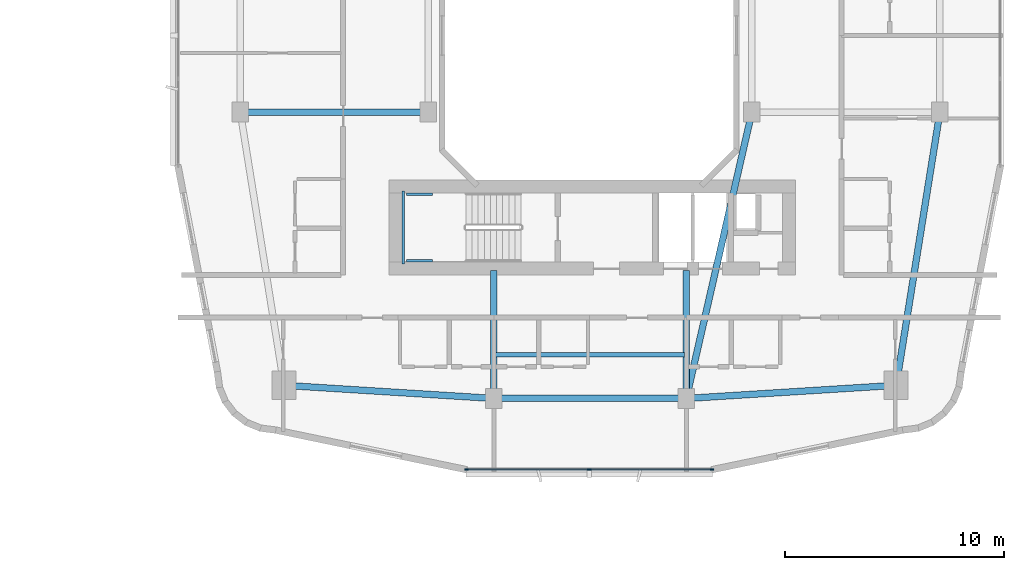
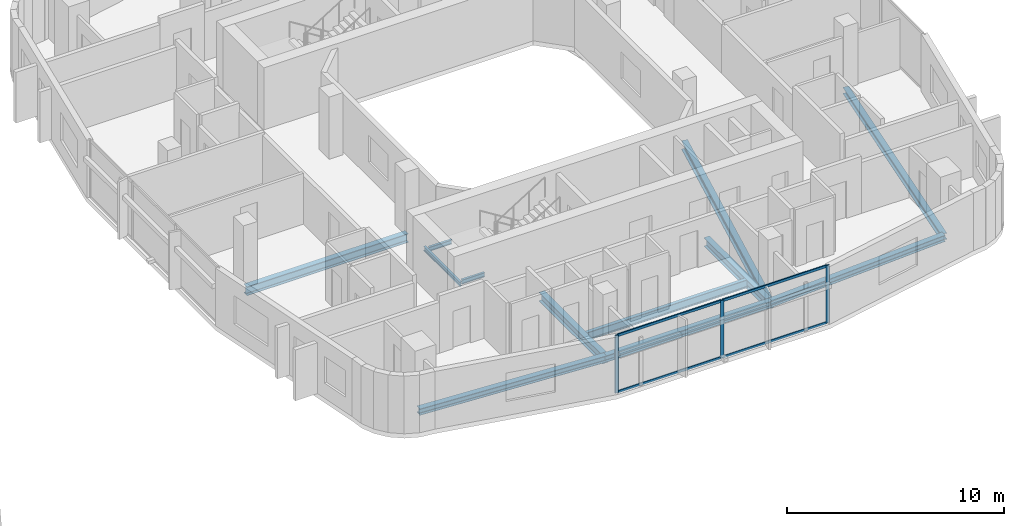
# One storey, part 8 of 26: 12 beams, 7 members, 1 element without a shape of its own.
"""IFC4 building model written with IfcOpenShell, lengths in metres."""

from ifc_helpers import new_model, si_unit, derived_unit, direction, frame, origin, origin_2d, place, context, subcontext, project, spatial, rectangle, i_section, extrude, material, layer, layer_set, material_profile, profile_set, type_object, element, aggregate, save


model = new_model("IFC4")

# Units and contexts
model_context = context("Model", 3, precision=1e-05, world=origin(), true_north=direction((0.0, 1.0)))
body_context = subcontext(model_context, "Body", "Model", "MODEL_VIEW")
ifc_project = project(units=[si_unit("LENGTHUNIT", "METRE"), si_unit("AREAUNIT", "SQUARE_METRE"), si_unit("VOLUMEUNIT", "CUBIC_METRE"), si_unit("PLANEANGLEUNIT", "RADIAN"), si_unit("MASSUNIT", "GRAM", prefix="KILO"), derived_unit("THERMALTRANSMITTANCEUNIT", [(si_unit("POWERUNIT", "WATT"), 1), (si_unit("LENGTHUNIT", "METRE"), -2), (si_unit("THERMODYNAMICTEMPERATUREUNIT", "KELVIN"), -1)])], contexts=[model_context])

# Site, building, storey
site_placement = place(None, origin())
site = spatial("IfcSite", under=ifc_project, at=site_placement, CompositionType="ELEMENT")
building_placement = place(site_placement, origin())
building = spatial("IfcBuilding", under=site, at=building_placement, Name="Kivonza Crest Hotel", CompositionType="ELEMENT")
storey_placement = place(building_placement, frame((0.0, 0.0, 55.5)))
storey = spatial("IfcBuildingStorey", under=building, at=storey_placement, Name="L14", CompositionType="ELEMENT", Elevation=55.5)

# Beams
ifc_material_1 = material(Name="Steel S355", Category="steel")
ifc_material_profile_1 = material_profile(ifc_material_1, i_section(OverallWidth=0.300048828125, OverallDepth=0.360107421875, WebThickness=0.012451171875, FlangeThickness=0.0224609375, FilletRadius=0.027099609375, at=origin_2d()), Name="HEB 360")
ifc_profile_set_1 = profile_set([ifc_material_profile_1], Name="Steel S355")
beam_type_1 = type_object("IfcBeamType", Name="BM-HEB360", PredefinedType="SPANDREL", material=ifc_profile_set_1)
beam_1_placement = place(storey_placement, frame((72.60009765625, 8.39990234375, -0.429931640625), z_axis=(1.0, 0.0, 0.0), x_axis=(0.0, 1.0, 0.0)))
element("IfcBeam", 1, at=beam_1_placement, inside=storey, type_object=beam_type_1, Name="Companion Tower T2 L14 perimeter spandrel S1-S2", PredefinedType="SPANDREL", context=body_context, shape_type="SweptSolid", body=[
    extrude(i_section(OverallWidth=0.300048828125, OverallDepth=0.360107421875, WebThickness=0.012451171875, FlangeThickness=0.0224609375, FilletRadius=0.027099609375, at=origin_2d()), origin(), (0.0, 0.0, 1.0), 8.7998046875),
])
beam_2_placement = place(storey_placement, frame((81.39990234375, 8.39990234375, -0.429931640625), z_axis=(0.998051985873, 0.062387767186, 0.0), x_axis=(-0.062387767186, 0.998051985873, 0.0)))
element("IfcBeam", 2, at=beam_2_placement, inside=storey, type_object=beam_type_1, Name="Companion Tower T2 L14 perimeter spandrel S2-SE", PredefinedType="SPANDREL", context=body_context, shape_type="SweptSolid", body=[
    extrude(i_section(OverallWidth=0.300048828125, OverallDepth=0.360107421875, WebThickness=0.012451171875, FlangeThickness=0.0224609375, FilletRadius=0.027099609375, at=origin_2d()), origin(), (0.0, 0.0, 1.0), 9.618896484375),
])
beam_3_placement = place(storey_placement, frame((91.0, 9.0, -0.429931640625), z_axis=(0.157990501107, 0.987440631917, 0.0), x_axis=(-0.987440631917, 0.157990501107, 0.0)))
element("IfcBeam", 3, at=beam_3_placement, inside=storey, type_object=beam_type_1, Name="Companion Tower T2 L14 perimeter spandrel SE-E1", PredefinedType="SPANDREL", context=body_context, shape_type="SweptSolid", body=[
    extrude(i_section(OverallWidth=0.300048828125, OverallDepth=0.360107421875, WebThickness=0.012451171875, FlangeThickness=0.0224609375, FilletRadius=0.027099609375, at=origin_2d()), origin(), (0.0, 0.0, 1.0), 12.658935546875),
])
beam_4_placement = place(storey_placement, frame((63.0, 9.0, -0.429931640625), z_axis=(0.998051985873, -0.062387767186, 0.0), x_axis=(0.062387767186, 0.998051985873, 0.0)))
element("IfcBeam", 4, at=beam_4_placement, inside=storey, type_object=beam_type_1, Name="Companion Tower T2 L14 perimeter spandrel SW-S1", PredefinedType="SPANDREL", context=body_context, shape_type="SweptSolid", body=[
    extrude(i_section(OverallWidth=0.300048828125, OverallDepth=0.360107421875, WebThickness=0.012451171875, FlangeThickness=0.0224609375, FilletRadius=0.027099609375, at=origin_2d()), origin(), (0.0, 0.0, 1.0), 9.618896484375),
])
ifc_material_profile_2 = material_profile(ifc_material_1, i_section(OverallWidth=0.300048828125, OverallDepth=0.5, WebThickness=0.014404296875, FlangeThickness=0.028076171875, FilletRadius=0.027099609375, at=origin_2d()), Name="HEB 500")
ifc_profile_set_2 = profile_set([ifc_material_profile_2], Name="Steel S355")
beam_type_2 = type_object("IfcBeamType", Name="BM-HEB500", PredefinedType="BEAM", material=ifc_profile_set_2)
beam_5_placement = place(storey_placement, frame((61.0, 21.5, -0.5), z_axis=(1.0, 0.0, 0.0), x_axis=(0.0, 1.0, 0.0)))
element("IfcBeam", 5, at=beam_5_placement, inside=storey, type_object=beam_type_2, Name="Companion Tower T2 L14 girder W1-WL1", PredefinedType="BEAM", context=body_context, shape_type="SweptSolid", body=[
    extrude(i_section(OverallWidth=0.300048828125, OverallDepth=0.5, WebThickness=0.014404296875, FlangeThickness=0.028076171875, FilletRadius=0.027099609375, at=origin_2d()), origin(), (0.0, 0.0, 1.0), 8.60009765625),
])
beam_6_placement = place(storey_placement, frame((84.39990234375, 21.5, -0.5), z_axis=(-0.223227287589, -0.974766422317, 0.0), x_axis=(0.974766422317, -0.223227287589, 0.0)))
element("IfcBeam", 6, at=beam_6_placement, inside=storey, type_object=beam_type_2, Name="Companion Tower T2 L14 girder WR1-S2", PredefinedType="BEAM", context=body_context, shape_type="SweptSolid", body=[
    extrude(i_section(OverallWidth=0.300048828125, OverallDepth=0.5, WebThickness=0.014404296875, FlangeThickness=0.028076171875, FilletRadius=0.027099609375, at=origin_2d()), origin(), (0.0, 0.0, 1.0), 13.439208984375),
])
for number, where, z_axis, x_axis, name in (
    (7, (72.60009765625, 8.39990234375, -0.5), (0.0, 1.0, 0.0), (-1.0, 0.0, 0.0), "Companion T2 L14 radial core girder RS1"),
    (8, (81.39990234375, 8.39990234375, -0.5), (0.0, 1.0, 0.0), (-1.0, 0.0, 0.0), "Companion T2 L14 radial core girder RS2"),
):
    element("IfcBeam", number, at=place(storey_placement, frame(where, z_axis=z_axis, x_axis=x_axis)), inside=storey, type_object=beam_type_2, Name=name, PredefinedType="BEAM", context=body_context, shape_type="SweptSolid", body=[
        extrude(i_section(OverallWidth=0.300048828125, OverallDepth=0.5, WebThickness=0.014404296875, FlangeThickness=0.028076171875, FilletRadius=0.027099609375, at=origin_2d()), origin(), (0.0, 0.0, 1.0), 5.85009765625),
    ])
ifc_material_profile_3 = material_profile(ifc_material_1, i_section(OverallWidth=0.18994140625, OverallDepth=0.449951171875, WebThickness=0.009521484375, FlangeThickness=0.0146484375, FilletRadius=0.02099609375, at=origin_2d()), Name="IPE 450")
ifc_profile_set_3 = profile_set([ifc_material_profile_3], Name="Steel S355")
beam_type_3 = type_object("IfcBeamType", Name="BM-IPE450", PredefinedType="JOIST", material=ifc_profile_set_3)
beam_7_placement = place(storey_placement, frame((72.679931640625, 10.39990234375, -0.47509765625), z_axis=(1.0, 0.0, 0.0), x_axis=(0.0, 1.0, 0.0)))
element("IfcBeam", 9, at=beam_7_placement, inside=storey, type_object=beam_type_3, Name="Companion Tower T2 L14 South floor joist", PredefinedType="JOIST", context=body_context, shape_type="SweptSolid", body=[
    extrude(i_section(OverallWidth=0.18994140625, OverallDepth=0.449951171875, WebThickness=0.009521484375, FlangeThickness=0.0146484375, FilletRadius=0.02099609375, at=origin_2d()), origin(), (0.0, 0.0, 1.0), 8.64013671875),
])
ifc_material_profile_4 = material_profile(ifc_material_1, i_section(OverallWidth=0.1201171875, OverallDepth=0.239990234375, WebThickness=0.006103515625, FlangeThickness=0.009765625, FilletRadius=0.014892578125, at=origin_2d()), Name="IPE 240")
ifc_profile_set_4 = profile_set([ifc_material_profile_4], Name="Steel S355")
beam_type_4 = type_object("IfcBeamType", Name="BM-LLDG-240", PredefinedType="BEAM", material=ifc_profile_set_4)
beam_8_placement = place(storey_placement, frame((68.4599609375, 14.5400390625, 1.429931640625), z_axis=(0.0, 1.0, 0.0), x_axis=(-1.0, 0.0, 0.0)))
element("IfcBeam", 10, at=beam_8_placement, inside=storey, type_object=beam_type_4, Name="Stair ST-T2-S L14 West landing corbel", PredefinedType="BEAM", context=body_context, shape_type="SweptSolid", body=[
    extrude(i_section(OverallWidth=0.1201171875, OverallDepth=0.239990234375, WebThickness=0.006103515625, FlangeThickness=0.009765625, FilletRadius=0.014892578125, at=origin_2d()), origin(), (0.0, 0.0, 1.0), 3.35986328125),
])
for number, where, z_axis, x_axis, name in (
    (11, (68.590087890625, 14.699951171875, 1.429931640625), (1.0, 0.0, 0.0), (0.0, 1.0, 0.0), "Stair ST-T2-S L14 South landing corbel"),
    (12, (68.590087890625, 17.739990234375, 1.429931640625), (1.0, 0.0, 0.0), (0.0, 1.0, 0.0), "Stair ST-T2-S L14 North landing corbel"),
):
    element("IfcBeam", number, at=place(storey_placement, frame(where, z_axis=z_axis, x_axis=x_axis)), inside=storey, type_object=beam_type_4, Name=name, PredefinedType="BEAM", context=body_context, shape_type="SweptSolid", body=[
        extrude(i_section(OverallWidth=0.1201171875, OverallDepth=0.239990234375, WebThickness=0.006103515625, FlangeThickness=0.009765625, FilletRadius=0.014892578125, at=origin_2d()), origin(), (0.0, 0.0, 1.0), 1.2099609375),
    ])

# Curtain wall, members
ifc_material_2 = material(Name="Anodised bronze aluminium and low-E double glazing", Category="aluminium")
ifc_layer = layer(ifc_material_2, 0.179931640625)
ifc_layer_set = layer_set([ifc_layer], Name="Anodised bronze aluminium and low-E double glazing")
curtain_wall_type = type_object("IfcCurtainWallType", Name="CW-SYS-4", PredefinedType="NOTDEFINED", material=ifc_layer_set)
curtain_wall_placement = place(storey_placement, origin())
curtain_wall = element("IfcCurtainWall", 13, at=curtain_wall_placement, inside=storey, type_object=curtain_wall_type, Name="L14 unitised curtain wall CW-T2-L14-08", PredefinedType="NOTDEFINED")
ifc_material_3 = material(Name="Anodised bronze aluminium", Category="aluminium")
ifc_material_profile_5 = material_profile(ifc_material_3, rectangle(XDim=0.06494140625, YDim=0.179931640625, at=origin_2d()), Name="CW-M 65x180")
ifc_profile_set_5 = profile_set([ifc_material_profile_5], Name="Anodised bronze aluminium")
member_type_1 = type_object("IfcMemberType", Name="CW-MUL-65x180", PredefinedType="MULLION", material=ifc_profile_set_5)
member_1_placement = place(storey_placement, frame((71.344482421875, 5.159912109375, 0.0), z_axis=(0.0, 0.0, 1.0), x_axis=(0.0, 1.0, 0.0)))
member_1 = element("IfcMember", 14, at=member_1_placement, type_object=member_type_1, Name="CW-4 mullion 1", PredefinedType="MULLION", context=body_context, shape_type="SweptSolid", body=[
    extrude(rectangle(XDim=0.06494140625, YDim=0.179931640625, at=origin_2d()), origin(), (0.0, 0.0, 1.0), 3.25),
])
member_2_placement = place(storey_placement, frame((76.9599609375, 5.159912109375, 0.0), z_axis=(0.0, 0.0, 1.0), x_axis=(0.0, 1.0, 0.0)))
member_2 = element("IfcMember", 15, at=member_2_placement, type_object=member_type_1, Name="CW-4 mullion 2", PredefinedType="MULLION", context=body_context, shape_type="SweptSolid", body=[
    extrude(rectangle(XDim=0.06494140625, YDim=0.179931640625, at=origin_2d()), origin(), (0.0, 0.0, 1.0), 3.25),
])
member_3_placement = place(storey_placement, frame((82.575439453125, 5.159912109375, 0.0), z_axis=(0.0, 0.0, 1.0), x_axis=(0.0, 1.0, 0.0)))
member_3 = element("IfcMember", 16, at=member_3_placement, type_object=member_type_1, Name="CW-4 mullion 3", PredefinedType="MULLION", context=body_context, shape_type="SweptSolid", body=[
    extrude(rectangle(XDim=0.06494140625, YDim=0.179931640625, at=origin_2d()), origin(), (0.0, 0.0, 1.0), 3.25),
])
ifc_material_profile_6 = material_profile(ifc_material_3, rectangle(XDim=0.06494140625, YDim=0.139892578125, at=origin_2d()), Name="CW-T 65x140")
ifc_profile_set_6 = profile_set([ifc_material_profile_6], Name="Anodised bronze aluminium")
member_type_2 = type_object("IfcMemberType", Name="CW-TRN-65x140", PredefinedType="USERDEFINED", material=ifc_profile_set_6)
member_4_placement = place(storey_placement, frame((71.376953125, 5.159912109375, 0.032470703125), z_axis=(1.0, 0.0, 0.0), x_axis=(0.0, 1.0, 0.0)))
member_4 = element("IfcMember", 17, at=member_4_placement, type_object=member_type_2, Name="CW-4 transom 1.1", ObjectType="TRANSOM", PredefinedType="USERDEFINED", context=body_context, shape_type="SweptSolid", body=[
    extrude(rectangle(XDim=0.06494140625, YDim=0.139892578125, at=origin_2d()), origin(), (0.0, 0.0, 1.0), 5.550537109375),
])
member_5_placement = place(storey_placement, frame((71.376953125, 5.159912109375, 3.217529296875), z_axis=(1.0, 0.0, 0.0), x_axis=(0.0, 1.0, 0.0)))
member_5 = element("IfcMember", 18, at=member_5_placement, type_object=member_type_2, Name="CW-4 transom 1.2", ObjectType="TRANSOM", PredefinedType="USERDEFINED", context=body_context, shape_type="SweptSolid", body=[
    extrude(rectangle(XDim=0.06494140625, YDim=0.139892578125, at=origin_2d()), origin(), (0.0, 0.0, 1.0), 5.550537109375),
])
member_6_placement = place(storey_placement, frame((76.992431640625, 5.159912109375, 0.032470703125), z_axis=(1.0, 0.0, 0.0), x_axis=(0.0, 1.0, 0.0)))
member_6 = element("IfcMember", 19, at=member_6_placement, type_object=member_type_2, Name="CW-4 transom 2.1", ObjectType="TRANSOM", PredefinedType="USERDEFINED", context=body_context, shape_type="SweptSolid", body=[
    extrude(rectangle(XDim=0.06494140625, YDim=0.139892578125, at=origin_2d()), origin(), (0.0, 0.0, 1.0), 5.550537109375),
])
member_7_placement = place(storey_placement, frame((76.992431640625, 5.159912109375, 3.217529296875), z_axis=(1.0, 0.0, 0.0), x_axis=(0.0, 1.0, 0.0)))
member_7 = element("IfcMember", 20, at=member_7_placement, type_object=member_type_2, Name="CW-4 transom 2.2", ObjectType="TRANSOM", PredefinedType="USERDEFINED", context=body_context, shape_type="SweptSolid", body=[
    extrude(rectangle(XDim=0.06494140625, YDim=0.139892578125, at=origin_2d()), origin(), (0.0, 0.0, 1.0), 5.550537109375),
])
aggregate(curtain_wall, [member_1, member_2, member_3, member_4, member_5, member_6, member_7])

save(model, "model.ifc")
